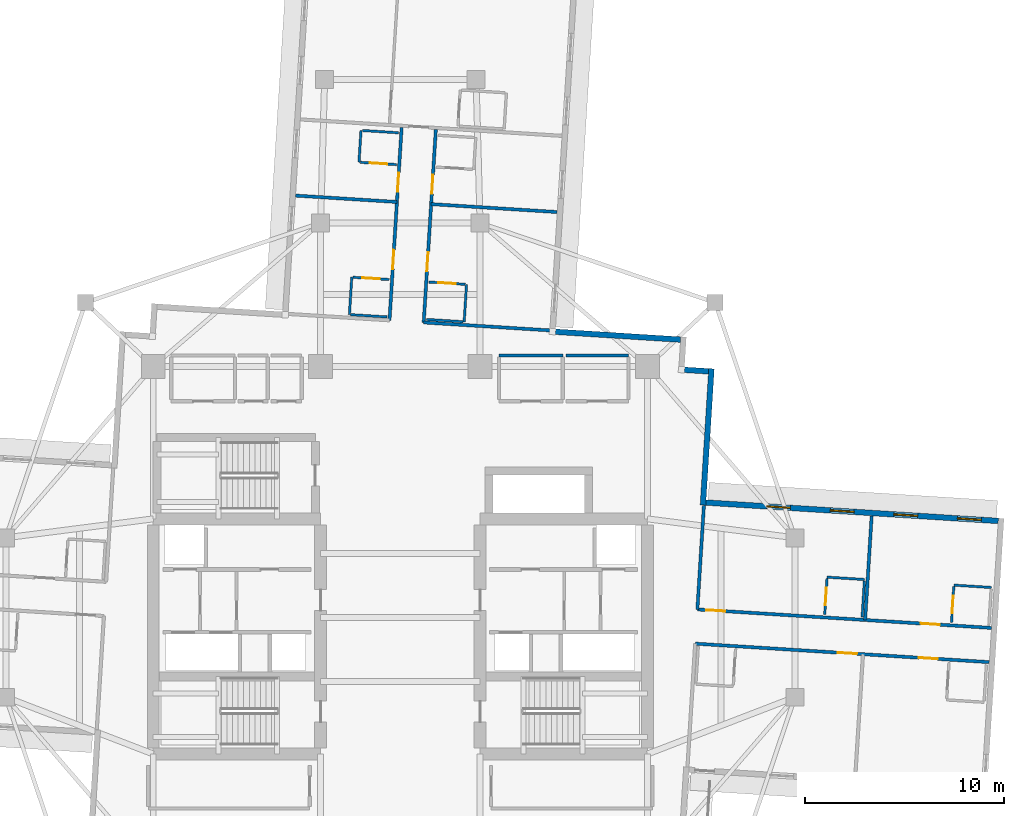
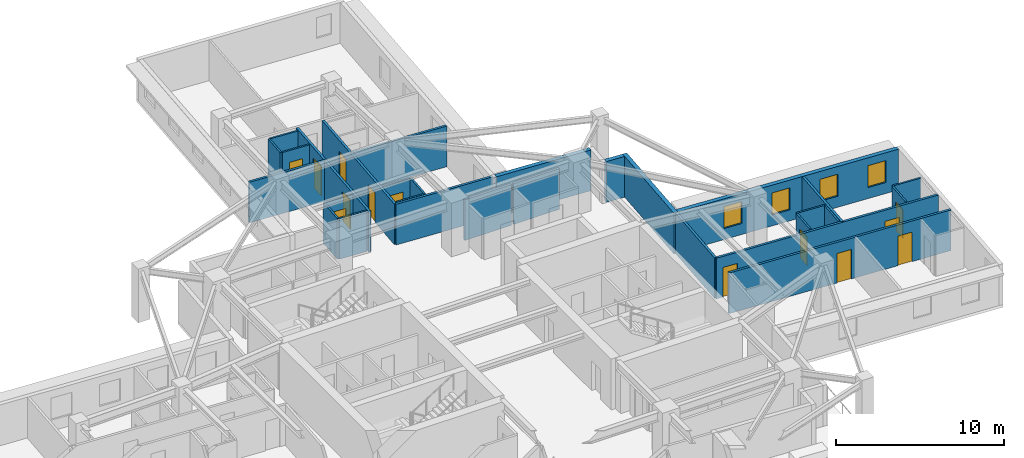
# One storey, part 8 of 14: 29 walls, 13 doors, 4 windows, 17 openings.
"""IFC4 building model written with IfcOpenShell, lengths in metres."""

from ifc_helpers import new_model, si_unit, direction, frame, frame_2d, origin, place, context, subcontext, project, spatial, rectangle, extrude, material, layer, layer_set, type_object, element, fill, save


model = new_model("IFC4")

# Units and contexts
model_context = context("Model", 3, precision=1e-05, world=origin(), true_north=direction((0.0, 1.0)))
body_context = subcontext(model_context, "Body", "Model", "MODEL_VIEW")
ifc_project = project(units=[si_unit("LENGTHUNIT", "METRE"), si_unit("AREAUNIT", "SQUARE_METRE"), si_unit("VOLUMEUNIT", "CUBIC_METRE"), si_unit("PLANEANGLEUNIT", "RADIAN"), si_unit("MASSUNIT", "GRAM", prefix="KILO")], contexts=[model_context])

# Site, building, storey
site_placement = place(None, origin())
site = spatial("IfcSite", under=ifc_project, at=site_placement, CompositionType="ELEMENT")
building_placement = place(site_placement, origin())
building = spatial("IfcBuilding", under=site, at=building_placement, Name="Qingluan Cross Belvedere", CompositionType="ELEMENT")
storey_placement = place(building_placement, frame((0.0, 0.0, 168.300048828125)))
storey = spatial("IfcBuildingStorey", under=building, at=storey_placement, Name="L42", CompositionType="ELEMENT", Elevation=168.300048828125)

# Walls
ifc_material_1 = material(Name="Gypsum plasterboard on steel stud acoustic partition", Category="steel")
ifc_layer_1 = layer(ifc_material_1, 0.159912109375, Name="CorridorPartition_160")
ifc_layer_set_1 = layer_set([ifc_layer_1], Name="Gypsum plasterboard on steel stud acoustic partition")
wall_type_1 = type_object("IfcWallType", Name="CorridorPartition_160", PredefinedType="PARTITIONING", material=ifc_layer_set_1)
wall_1_placement = place(storey_placement, frame((4.949951171875, 13.14990234375, 0.0), z_axis=(0.0, 0.0, 1.0), x_axis=(1.0, 0.0, 0.0)))
element("IfcWall", 1, at=wall_1_placement, inside=storey, type_object=wall_type_1, Name="Partition L42:q_ne1:N", PredefinedType="PARTITIONING", context=body_context, shape_type="SweptSolid", body=[
    extrude(rectangle(XDim=3.199951171875, YDim=0.159912109375, at=frame_2d((1.60009765625, 0.0))), origin(), (0.0, 0.0, 1.0), 2.9599609375),
])
wall_2_placement = place(storey_placement, frame((8.31005859375, 13.14990234375, 0.0), z_axis=(0.0, 0.0, 1.0), x_axis=(1.0, 0.0, 0.0)))
element("IfcWall", 2, at=wall_2_placement, inside=storey, type_object=wall_type_1, Name="Partition L42:q_ne2:N", PredefinedType="PARTITIONING", context=body_context, shape_type="SweptSolid", body=[
    extrude(rectangle(XDim=3.139892578125, YDim=0.159912109375, at=frame_2d((1.56982421875, 0.0))), origin(), (0.0, 0.0, 1.0), 2.9599609375),
])

# Wall, openings, doors
wall_3_placement = place(storey_placement, frame((14.90478515625, 0.40478515625, 0.0), z_axis=(0.0, 0.0, 1.0), x_axis=(0.998027564116, -0.062777235242, 0.0)))
wall_3 = element("IfcWall", 3, at=wall_3_placement, inside=storey, type_object=wall_type_1, Name="Partition L42:E:c0", PredefinedType="PARTITIONING", context=body_context, shape_type="SweptSolid", body=[
    extrude(rectangle(XDim=14.781982421875, YDim=0.159912109375, at=frame_2d((7.39111328125, 0.0))), origin(), (0.0, 0.0, 1.0), 2.9599609375),
])
opening_1_placement = place(wall_3_placement, frame((0.449951171875, 0.0, 0.0)))
opening_1 = element("IfcOpeningElement", 4, at=opening_1_placement, cuts=wall_3, Name="Opening GD-10", PredefinedType="OPENING", context=body_context, shape_type="SweptSolid", body=[
    extrude(rectangle(XDim=0.9599609375, YDim=2.14990234375, at=frame_2d((0.47998046875, 1.074951171875))), frame((0.0, 0.08984375, 0.0), z_axis=(0.0, -1.0, 0.0), x_axis=(1.0, 0.0, 0.0)), (0.0, 0.0, 1.0), 0.179931640625),
])
opening_2_placement = place(wall_3_placement, frame((11.23291015625, 0.0, 0.0)))
opening_2 = element("IfcOpeningElement", 5, at=opening_2_placement, cuts=wall_3, Name="Opening GD-10", PredefinedType="OPENING", context=body_context, shape_type="SweptSolid", body=[
    extrude(rectangle(XDim=0.9599609375, YDim=2.14990234375, at=frame_2d((0.47998046875, 1.074951171875))), frame((0.0, 0.08984375, 0.0), z_axis=(0.0, -1.0, 0.0), x_axis=(1.0, 0.0, 0.0)), (0.0, 0.0, 1.0), 0.179931640625),
])
ifc_material_2 = material(Name="Timber oak fire-rated acoustic guestroom door", Category="wood")
door_type_1 = type_object("IfcDoorType", Name="GuestEntryDoor_FD60", OperationType="NOTDEFINED", PredefinedType="DOOR", material=ifc_material_2)
door_1_placement = place(opening_1_placement, origin())
door_1 = element("IfcDoor", 6, at=door_1_placement, inside=storey, type_object=door_type_1, Name="Guest entry fire door 4201", OperationType="SINGLE_SWING_RIGHT", OverallHeight=2.14990234375, OverallWidth=0.9599609375, PredefinedType="DOOR", context=body_context, shape_type="SweptSolid", body=[
    extrude(rectangle(XDim=0.9599609375, YDim=2.14990234375, at=frame_2d((0.47998046875, 1.074951171875))), frame((0.0, 0.02490234375, 0.0), z_axis=(0.0, -1.0, 0.0), x_axis=(1.0, 0.0, 0.0)), (0.0, 0.0, 1.0), 0.050048828125),
])
fill(opening_1, door_1)
door_2_placement = place(opening_2_placement, origin())
door_2 = element("IfcDoor", 7, at=door_2_placement, inside=storey, type_object=door_type_1, Name="Guest entry fire door 4202", OperationType="SINGLE_SWING_RIGHT", OverallHeight=2.14990234375, OverallWidth=0.9599609375, PredefinedType="DOOR", context=body_context, shape_type="SweptSolid", body=[
    extrude(rectangle(XDim=0.9599609375, YDim=2.14990234375, at=frame_2d((0.47998046875, 1.074951171875))), frame((0.0, 0.02490234375, 0.0), z_axis=(0.0, -1.0, 0.0), x_axis=(1.0, 0.0, 0.0)), (0.0, 0.0, 1.0), 0.050048828125),
])
fill(opening_2, door_2)

# Walls
wall_4_placement = place(storey_placement, frame((14.90478515625, 0.40478515625, 0.0), z_axis=(0.0, 0.0, 1.0), x_axis=(0.062805307589, 0.998025797932, 0.0)))
element("IfcWall", 8, at=wall_4_placement, inside=storey, type_object=wall_type_1, Name="Partition L42:E:s0", PredefinedType="PARTITIONING", context=body_context, shape_type="SweptSolid", body=[
    extrude(rectangle(XDim=5.232177734375, YDim=0.159912109375, at=frame_2d((2.6162109375, 0.0))), origin(), (0.0, 0.0, 1.0), 2.9599609375),
])
wall_5_placement = place(storey_placement, frame((23.3232421875, -0.124755859375, 0.0), z_axis=(0.0, 0.0, 1.0), x_axis=(0.062761753477, 0.998028537819, 0.0)))
element("IfcWall", 9, at=wall_5_placement, inside=storey, type_object=wall_type_1, Name="Partition L42:E:d0_0", PredefinedType="PARTITIONING", context=body_context, shape_type="SweptSolid", body=[
    extrude(rectangle(XDim=5.23193359375, YDim=0.159912109375, at=frame_2d((2.615966796875, 0.0))), origin(), (0.0, 0.0, 1.0), 2.9599609375),
])

# Wall, openings, doors
wall_6_placement = place(storey_placement, frame((14.796875, -1.311767578125, 0.0), z_axis=(0.0, 0.0, 1.0), x_axis=(0.998026529199, -0.062793686106, 0.0)))
wall_6 = element("IfcWall", 10, at=wall_6_placement, inside=storey, type_object=wall_type_1, Name="Partition L42:E:c1", PredefinedType="PARTITIONING", context=body_context, shape_type="SweptSolid", body=[
    extrude(rectangle(XDim=14.781982421875, YDim=0.159912109375, at=frame_2d((7.39111328125, 0.0))), origin(), (0.0, 0.0, 1.0), 2.9599609375),
])
opening_3_placement = place(wall_6_placement, frame((7.175048828125, 0.0, 0.0)))
opening_3 = element("IfcOpeningElement", 11, at=opening_3_placement, cuts=wall_6, Name="Opening GD-10", PredefinedType="OPENING", context=body_context, shape_type="SweptSolid", body=[
    extrude(rectangle(XDim=0.9599609375, YDim=2.14990234375, at=frame_2d((0.47998046875, 1.074951171875))), frame((0.0, 0.08984375, 0.0), z_axis=(0.0, -1.0, 0.0), x_axis=(1.0, 0.0, 0.0)), (0.0, 0.0, 1.0), 0.179931640625),
])
opening_4_placement = place(wall_6_placement, frame((11.23291015625, 0.0, 0.0)))
opening_4 = element("IfcOpeningElement", 12, at=opening_4_placement, cuts=wall_6, Name="Opening GD-10", PredefinedType="OPENING", context=body_context, shape_type="SweptSolid", body=[
    extrude(rectangle(XDim=0.9599609375, YDim=2.14990234375, at=frame_2d((0.47998046875, 1.074951171875))), frame((0.0, 0.08984375, 0.0), z_axis=(0.0, -1.0, 0.0), x_axis=(1.0, 0.0, 0.0)), (0.0, 0.0, 1.0), 0.179931640625),
])
door_3_placement = place(opening_3_placement, origin())
door_3 = element("IfcDoor", 13, at=door_3_placement, inside=storey, type_object=door_type_1, Name="Guest entry fire door 4203", OperationType="SINGLE_SWING_RIGHT", OverallHeight=2.14990234375, OverallWidth=0.9599609375, PredefinedType="DOOR", context=body_context, shape_type="SweptSolid", body=[
    extrude(rectangle(XDim=0.9599609375, YDim=2.14990234375, at=frame_2d((0.47998046875, 1.074951171875))), frame((0.0, 0.02490234375, 0.0), z_axis=(0.0, -1.0, 0.0), x_axis=(1.0, 0.0, 0.0)), (0.0, 0.0, 1.0), 0.050048828125),
])
fill(opening_3, door_3)
door_4_placement = place(opening_4_placement, origin())
door_4 = element("IfcDoor", 14, at=door_4_placement, inside=storey, type_object=door_type_1, Name="Guest entry fire door 4204", OperationType="SINGLE_SWING_RIGHT", OverallHeight=2.14990234375, OverallWidth=0.9599609375, PredefinedType="DOOR", context=body_context, shape_type="SweptSolid", body=[
    extrude(rectangle(XDim=0.9599609375, YDim=2.14990234375, at=frame_2d((0.47998046875, 1.074951171875))), frame((0.0, 0.02490234375, 0.0), z_axis=(0.0, -1.0, 0.0), x_axis=(1.0, 0.0, 0.0)), (0.0, 0.0, 1.0), 0.050048828125),
])
fill(opening_4, door_4)

wall_7_placement = place(storey_placement, frame((1.172119140625, 14.8056640625, 0.0), z_axis=(0.0, 0.0, 1.0), x_axis=(0.062771584278, 0.998027919553, 0.0)))
wall_7 = element("IfcWall", 15, at=wall_7_placement, inside=storey, type_object=wall_type_1, Name="Partition L42:N:c0", PredefinedType="PARTITIONING", context=body_context, shape_type="SweptSolid", body=[
    extrude(rectangle(XDim=9.699951171875, YDim=0.159912109375, at=frame_2d((4.85009765625, 0.0))), origin(), (0.0, 0.0, 1.0), 2.9599609375),
])
opening_5_placement = place(wall_7_placement, frame((2.574951171875, 0.0, 0.0)))
opening_5 = element("IfcOpeningElement", 16, at=opening_5_placement, cuts=wall_7, Name="Opening GD-10", PredefinedType="OPENING", context=body_context, shape_type="SweptSolid", body=[
    extrude(rectangle(XDim=0.9599609375, YDim=2.14990234375, at=frame_2d((0.47998046875, 1.074951171875))), frame((0.0, 0.08984375, 0.0), z_axis=(0.0, -1.0, 0.0), x_axis=(1.0, 0.0, 0.0)), (0.0, 0.0, 1.0), 0.179931640625),
])
opening_6_placement = place(wall_7_placement, frame((6.467041015625, 0.0, 0.0)))
opening_6 = element("IfcOpeningElement", 17, at=opening_6_placement, cuts=wall_7, Name="Opening GD-10", PredefinedType="OPENING", context=body_context, shape_type="SweptSolid", body=[
    extrude(rectangle(XDim=0.9599609375, YDim=2.14990234375, at=frame_2d((0.47998046875, 1.074951171875))), frame((0.0, 0.08984375, 0.0), z_axis=(0.0, -1.0, 0.0), x_axis=(1.0, 0.0, 0.0)), (0.0, 0.0, 1.0), 0.179931640625),
])
door_5_placement = place(opening_5_placement, origin())
door_5 = element("IfcDoor", 18, at=door_5_placement, inside=storey, type_object=door_type_1, Name="Guest entry fire door 4211", OperationType="SINGLE_SWING_RIGHT", OverallHeight=2.14990234375, OverallWidth=0.9599609375, PredefinedType="DOOR", context=body_context, shape_type="SweptSolid", body=[
    extrude(rectangle(XDim=0.9599609375, YDim=2.14990234375, at=frame_2d((0.47998046875, 1.074951171875))), frame((0.0, 0.02490234375, 0.0), z_axis=(0.0, -1.0, 0.0), x_axis=(1.0, 0.0, 0.0)), (0.0, 0.0, 1.0), 0.050048828125),
])
fill(opening_5, door_5)
door_6_placement = place(opening_6_placement, origin())
door_6 = element("IfcDoor", 19, at=door_6_placement, inside=storey, type_object=door_type_1, Name="Guest entry fire door 4212", OperationType="SINGLE_SWING_RIGHT", OverallHeight=2.14990234375, OverallWidth=0.9599609375, PredefinedType="DOOR", context=body_context, shape_type="SweptSolid", body=[
    extrude(rectangle(XDim=0.9599609375, YDim=2.14990234375, at=frame_2d((0.47998046875, 1.074951171875))), frame((0.0, 0.02490234375, 0.0), z_axis=(0.0, -1.0, 0.0), x_axis=(1.0, 0.0, 0.0)), (0.0, 0.0, 1.0), 0.050048828125),
])
fill(opening_6, door_6)

# Walls
wall_8_placement = place(storey_placement, frame((1.172119140625, 14.8056640625, 0.0), z_axis=(0.0, 0.0, 1.0), x_axis=(0.998025657815, -0.06280753413, 0.0)))
element("IfcWall", 20, at=wall_8_placement, inside=storey, type_object=wall_type_1, Name="Partition L42:N:s0", PredefinedType="PARTITIONING", context=body_context, shape_type="SweptSolid", body=[
    extrude(rectangle(XDim=6.479736328125, YDim=0.159912109375, at=frame_2d((3.23974609375, 0.0))), origin(), (0.0, 0.0, 1.0), 2.9599609375),
])
wall_9_placement = place(storey_placement, frame((1.545654296875, 20.743896484375, 0.0), z_axis=(0.0, 0.0, 1.0), x_axis=(0.998025479614, -0.06281036572, 0.0)))
element("IfcWall", 21, at=wall_9_placement, inside=storey, type_object=wall_type_1, Name="Partition L42:N:d0_0", PredefinedType="PARTITIONING", context=body_context, shape_type="SweptSolid", body=[
    extrude(rectangle(XDim=6.331787109375, YDim=0.159912109375, at=frame_2d((3.166015625, 0.0))), origin(), (0.0, 0.0, 1.0), 2.9599609375),
])

# Wall, openings, doors
wall_10_placement = place(storey_placement, frame((-0.544677734375, 14.91357421875, 0.0), z_axis=(0.0, 0.0, 1.0), x_axis=(0.062796654085, 0.998026342456, 0.0)))
wall_10 = element("IfcWall", 22, at=wall_10_placement, inside=storey, type_object=wall_type_1, Name="Partition L42:N:c1", PredefinedType="PARTITIONING", context=body_context, shape_type="SweptSolid", body=[
    extrude(rectangle(XDim=9.699951171875, YDim=0.159912109375, at=frame_2d((4.85009765625, 0.0))), origin(), (0.0, 0.0, 1.0), 2.9599609375),
])
opening_7_placement = place(wall_10_placement, frame((2.574951171875, 0.0, 0.0)))
opening_7 = element("IfcOpeningElement", 23, at=opening_7_placement, cuts=wall_10, Name="Opening GD-10", PredefinedType="OPENING", context=body_context, shape_type="SweptSolid", body=[
    extrude(rectangle(XDim=0.9599609375, YDim=2.14990234375, at=frame_2d((0.47998046875, 1.074951171875))), frame((0.0, 0.08984375, 0.0), z_axis=(0.0, -1.0, 0.0), x_axis=(1.0, 0.0, 0.0)), (0.0, 0.0, 1.0), 0.179931640625),
])
opening_8_placement = place(wall_10_placement, frame((6.467041015625, 0.0, 0.0)))
opening_8 = element("IfcOpeningElement", 24, at=opening_8_placement, cuts=wall_10, Name="Opening GD-10", PredefinedType="OPENING", context=body_context, shape_type="SweptSolid", body=[
    extrude(rectangle(XDim=0.9599609375, YDim=2.14990234375, at=frame_2d((0.47998046875, 1.074951171875))), frame((0.0, 0.08984375, 0.0), z_axis=(0.0, -1.0, 0.0), x_axis=(1.0, 0.0, 0.0)), (0.0, 0.0, 1.0), 0.179931640625),
])
door_7_placement = place(opening_7_placement, origin())
door_7 = element("IfcDoor", 25, at=door_7_placement, inside=storey, type_object=door_type_1, Name="Guest entry fire door 4213", OperationType="SINGLE_SWING_RIGHT", OverallHeight=2.14990234375, OverallWidth=0.9599609375, PredefinedType="DOOR", context=body_context, shape_type="SweptSolid", body=[
    extrude(rectangle(XDim=0.9599609375, YDim=2.14990234375, at=frame_2d((0.47998046875, 1.074951171875))), frame((0.0, 0.02490234375, 0.0), z_axis=(0.0, -1.0, 0.0), x_axis=(1.0, 0.0, 0.0)), (0.0, 0.0, 1.0), 0.050048828125),
])
fill(opening_7, door_7)
door_8_placement = place(opening_8_placement, origin())
door_8 = element("IfcDoor", 26, at=door_8_placement, inside=storey, type_object=door_type_1, Name="Guest entry fire door 4214", OperationType="SINGLE_SWING_RIGHT", OverallHeight=2.14990234375, OverallWidth=0.9599609375, PredefinedType="DOOR", context=body_context, shape_type="SweptSolid", body=[
    extrude(rectangle(XDim=0.9599609375, YDim=2.14990234375, at=frame_2d((0.47998046875, 1.074951171875))), frame((0.0, 0.02490234375, 0.0), z_axis=(0.0, -1.0, 0.0), x_axis=(1.0, 0.0, 0.0)), (0.0, 0.0, 1.0), 0.050048828125),
])
fill(opening_8, door_8)

# Wall
wall_11_placement = place(storey_placement, frame((-0.1708984375, 20.851806640625, 0.0), z_axis=(0.0, 0.0, 1.0), x_axis=(-0.998025621735, 0.06280810744, 0.0)))
element("IfcWall", 27, at=wall_11_placement, inside=storey, type_object=wall_type_1, Name="Partition L42:N:d1_0", PredefinedType="PARTITIONING", context=body_context, shape_type="SweptSolid", body=[
    extrude(rectangle(XDim=5.092041015625, YDim=0.159912109375, at=frame_2d((2.5458984375, 0.0))), origin(), (0.0, 0.0, 1.0), 2.9599609375),
])

# Wall, opening, door
ifc_material_3 = material(Name="Moisture-resistant gypsum board lining")
ifc_layer_2 = layer(ifc_material_3, 0.1201171875, Name="EnsuiteWetPartition_120")
ifc_layer_set_2 = layer_set([ifc_layer_2], Name="Moisture-resistant gypsum board lining")
wall_type_2 = type_object("IfcWallType", Name="EnsuiteWetPartition_120", PredefinedType="PARTITIONING", material=ifc_layer_set_2)
wall_12_placement = place(storey_placement, frame((21.2958984375, 0.14306640625, 0.0), z_axis=(0.0, 0.0, 1.0), x_axis=(0.062912758763, 0.998019030272, 0.0)))
wall_12 = element("IfcWall", 28, at=wall_12_placement, inside=storey, type_object=wall_type_2, Name="Partition L42:E:bs0_0", PredefinedType="PARTITIONING", context=body_context, shape_type="SweptSolid", body=[
    extrude(rectangle(XDim=1.820068359375, YDim=0.1201171875, at=frame_2d((0.91015625, 0.0))), origin(), (0.0, 0.0, 1.0), 2.9599609375),
])
opening_9_placement = place(wall_12_placement, frame((0.469970703125, 0.0, 0.0)))
opening_9 = element("IfcOpeningElement", 29, at=opening_9_placement, cuts=wall_12, Name="Opening BD-09", PredefinedType="OPENING", context=body_context, shape_type="SweptSolid", body=[
    extrude(rectangle(XDim=0.8798828125, YDim=2.10009765625, at=frame_2d((0.43994140625, 1.050048828125))), frame((0.0, 0.070068359375, 0.0), z_axis=(0.0, -1.0, 0.0), x_axis=(1.0, 0.0, 0.0)), (0.0, 0.0, 1.0), 0.14013671875),
])
ifc_material_4 = material(Name="Moisture-sealed timber en-suite door", Category="wood")
door_type_2 = type_object("IfcDoorType", Name="BathroomDoor_880", OperationType="NOTDEFINED", PredefinedType="DOOR", material=ifc_material_4)
door_9_placement = place(opening_9_placement, origin())
door_9 = element("IfcDoor", 30, at=door_9_placement, inside=storey, type_object=door_type_2, Name="Bathroom door 4201", OperationType="SINGLE_SWING_LEFT", OverallHeight=2.10009765625, OverallWidth=0.8798828125, PredefinedType="DOOR", context=body_context, shape_type="SweptSolid", body=[
    extrude(rectangle(XDim=0.8798828125, YDim=2.10009765625, at=frame_2d((0.43994140625, 1.050048828125))), frame((0.0, 0.02490234375, 0.0), z_axis=(0.0, -1.0, 0.0), x_axis=(1.0, 0.0, 0.0)), (0.0, 0.0, 1.0), 0.050048828125),
])
fill(opening_9, door_9)

# Walls
wall_13_placement = place(storey_placement, frame((23.17236328125, 0.02490234375, 0.0), z_axis=(0.0, 0.0, 1.0), x_axis=(0.062770741989, 0.998027972529, 0.0)))
element("IfcWall", 31, at=wall_13_placement, inside=storey, type_object=wall_type_2, Name="Partition L42:E:bw0_0", PredefinedType="PARTITIONING", context=body_context, shape_type="SweptSolid", body=[
    extrude(rectangle(XDim=1.8203125, YDim=0.1201171875, at=frame_2d((0.91015625, 0.0))), origin(), (0.0, 0.0, 1.0), 2.9599609375),
])
wall_14_placement = place(storey_placement, frame((21.414306640625, 2.0244140625, 0.0), z_axis=(0.0, 0.0, 1.0), x_axis=(0.998023163794, -0.062847152131, 0.0)))
element("IfcWall", 32, at=wall_14_placement, inside=storey, type_object=wall_type_2, Name="Partition L42:E:bn0_0", PredefinedType="PARTITIONING", context=body_context, shape_type="SweptSolid", body=[
    extrude(rectangle(XDim=1.880126953125, YDim=0.1201171875, at=frame_2d((0.93994140625, 0.0))), origin(), (0.0, 0.0, 1.0), 2.9599609375),
])

# Wall, opening, door
wall_15_placement = place(storey_placement, frame((27.658447265625, -0.257080078125, 0.0), z_axis=(0.0, 0.0, 1.0), x_axis=(0.062787551592, 0.998026915151, 0.0)))
wall_15 = element("IfcWall", 33, at=wall_15_placement, inside=storey, type_object=wall_type_2, Name="Partition L42:E:bs0_1", PredefinedType="PARTITIONING", context=body_context, shape_type="SweptSolid", body=[
    extrude(rectangle(XDim=1.81982421875, YDim=0.1201171875, at=frame_2d((0.909912109375, 0.0))), origin(), (0.0, 0.0, 1.0), 2.9599609375),
])
opening_10_placement = place(wall_15_placement, frame((0.469970703125, 0.0, 0.0)))
opening_10 = element("IfcOpeningElement", 34, at=opening_10_placement, cuts=wall_15, Name="Opening BD-09", PredefinedType="OPENING", context=body_context, shape_type="SweptSolid", body=[
    extrude(rectangle(XDim=0.8798828125, YDim=2.10009765625, at=frame_2d((0.43994140625, 1.050048828125))), frame((0.0, 0.070068359375, 0.0), z_axis=(0.0, -1.0, 0.0), x_axis=(1.0, 0.0, 0.0)), (0.0, 0.0, 1.0), 0.14013671875),
])
door_10_placement = place(opening_10_placement, origin())
door_10 = element("IfcDoor", 35, at=door_10_placement, inside=storey, type_object=door_type_2, Name="Bathroom door 4202", OperationType="SINGLE_SWING_LEFT", OverallHeight=2.10009765625, OverallWidth=0.8798828125, PredefinedType="DOOR", context=body_context, shape_type="SweptSolid", body=[
    extrude(rectangle(XDim=0.8798828125, YDim=2.10009765625, at=frame_2d((0.43994140625, 1.050048828125))), frame((0.0, 0.02490234375, 0.0), z_axis=(0.0, -1.0, 0.0), x_axis=(1.0, 0.0, 0.0)), (0.0, 0.0, 1.0), 0.050048828125),
])
fill(opening_10, door_10)

# Wall
wall_16_placement = place(storey_placement, frame((27.77685546875, 1.6240234375, 0.0), z_axis=(0.0, 0.0, 1.0), x_axis=(0.998030789148, -0.062725942896, 0.0)))
element("IfcWall", 36, at=wall_16_placement, inside=storey, type_object=wall_type_2, Name="Partition L42:E:bn0_1", PredefinedType="PARTITIONING", context=body_context, shape_type="SweptSolid", body=[
    extrude(rectangle(XDim=1.8798828125, YDim=0.1201171875, at=frame_2d((0.93994140625, 0.0))), origin(), (0.0, 0.0, 1.0), 2.9599609375),
])

# Wall, opening, door
wall_17_placement = place(storey_placement, frame((1.439697265625, 16.832763671875, 0.0), z_axis=(0.0, 0.0, 1.0), x_axis=(0.998027443946, -0.062779145668, 0.0)))
wall_17 = element("IfcWall", 37, at=wall_17_placement, inside=storey, type_object=wall_type_2, Name="Partition L42:N:bs0_0", PredefinedType="PARTITIONING", context=body_context, shape_type="SweptSolid", body=[
    extrude(rectangle(XDim=1.820068359375, YDim=0.1201171875, at=frame_2d((0.91015625, 0.0))), origin(), (0.0, 0.0, 1.0), 2.9599609375),
])
opening_11_placement = place(wall_17_placement, frame((0.469970703125, 0.0, 0.0)))
opening_11 = element("IfcOpeningElement", 38, at=opening_11_placement, cuts=wall_17, Name="Opening BD-09", PredefinedType="OPENING", context=body_context, shape_type="SweptSolid", body=[
    extrude(rectangle(XDim=0.8798828125, YDim=2.10009765625, at=frame_2d((0.43994140625, 1.050048828125))), frame((0.0, 0.070068359375, 0.0), z_axis=(0.0, -1.0, 0.0), x_axis=(1.0, 0.0, 0.0)), (0.0, 0.0, 1.0), 0.14013671875),
])
door_11_placement = place(opening_11_placement, origin())
door_11 = element("IfcDoor", 39, at=door_11_placement, inside=storey, type_object=door_type_2, Name="Bathroom door 4211", OperationType="SINGLE_SWING_LEFT", OverallHeight=2.10009765625, OverallWidth=0.8798828125, PredefinedType="DOOR", context=body_context, shape_type="SweptSolid", body=[
    extrude(rectangle(XDim=0.8798828125, YDim=2.10009765625, at=frame_2d((0.43994140625, 1.050048828125))), frame((0.0, 0.02490234375, 0.0), z_axis=(0.0, -1.0, 0.0), x_axis=(1.0, 0.0, 0.0)), (0.0, 0.0, 1.0), 0.050048828125),
])
fill(opening_11, door_11)

# Walls
wall_18_placement = place(storey_placement, frame((1.32177734375, 14.95654296875, 0.0), z_axis=(0.0, 0.0, 1.0), x_axis=(0.998027443946, -0.062779145668, 0.0)))
element("IfcWall", 40, at=wall_18_placement, inside=storey, type_object=wall_type_2, Name="Partition L42:N:bw0_0", PredefinedType="PARTITIONING", context=body_context, shape_type="SweptSolid", body=[
    extrude(rectangle(XDim=1.820068359375, YDim=0.1201171875, at=frame_2d((0.91015625, 0.0))), origin(), (0.0, 0.0, 1.0), 2.9599609375),
])
wall_19_placement = place(storey_placement, frame((3.202880859375, 14.838134765625, 0.0), z_axis=(0.0, 0.0, 1.0), x_axis=(0.062847152131, 0.998023163794, 0.0)))
element("IfcWall", 41, at=wall_19_placement, inside=storey, type_object=wall_type_2, Name="Partition L42:N:bn0_0", PredefinedType="PARTITIONING", context=body_context, shape_type="SweptSolid", body=[
    extrude(rectangle(XDim=1.880126953125, YDim=0.1201171875, at=frame_2d((0.93994140625, 0.0))), origin(), (0.0, 0.0, 1.0), 2.9599609375),
])

# Wall, opening, door
wall_20_placement = place(storey_placement, frame((-2.372802734375, 17.07275390625, 0.0), z_axis=(0.0, 0.0, 1.0), x_axis=(0.998027443946, -0.062779145668, 0.0)))
wall_20 = element("IfcWall", 42, at=wall_20_placement, inside=storey, type_object=wall_type_2, Name="Partition L42:N:bs1_0", PredefinedType="PARTITIONING", context=body_context, shape_type="SweptSolid", body=[
    extrude(rectangle(XDim=1.820068359375, YDim=0.1201171875, at=frame_2d((0.91015625, 0.0))), origin(), (0.0, 0.0, 1.0), 2.9599609375),
])
opening_12_placement = place(wall_20_placement, frame((0.469970703125, 0.0, 0.0)))
opening_12 = element("IfcOpeningElement", 43, at=opening_12_placement, cuts=wall_20, Name="Opening BD-09", PredefinedType="OPENING", context=body_context, shape_type="SweptSolid", body=[
    extrude(rectangle(XDim=0.8798828125, YDim=2.10009765625, at=frame_2d((0.43994140625, 1.050048828125))), frame((0.0, 0.070068359375, 0.0), z_axis=(0.0, -1.0, 0.0), x_axis=(1.0, 0.0, 0.0)), (0.0, 0.0, 1.0), 0.14013671875),
])
door_12_placement = place(opening_12_placement, origin())
door_12 = element("IfcDoor", 44, at=door_12_placement, inside=storey, type_object=door_type_2, Name="Bathroom door 4213", OperationType="SINGLE_SWING_LEFT", OverallHeight=2.10009765625, OverallWidth=0.8798828125, PredefinedType="DOOR", context=body_context, shape_type="SweptSolid", body=[
    extrude(rectangle(XDim=0.8798828125, YDim=2.10009765625, at=frame_2d((0.43994140625, 1.050048828125))), frame((0.0, 0.02490234375, 0.0), z_axis=(0.0, -1.0, 0.0), x_axis=(1.0, 0.0, 0.0)), (0.0, 0.0, 1.0), 0.050048828125),
])
fill(opening_12, door_12)

# Walls
wall_21_placement = place(storey_placement, frame((-2.49072265625, 15.1962890625, 0.0), z_axis=(0.0, 0.0, 1.0), x_axis=(0.998027443946, -0.062779145668, 0.0)))
element("IfcWall", 45, at=wall_21_placement, inside=storey, type_object=wall_type_2, Name="Partition L42:N:bw1_0", PredefinedType="PARTITIONING", context=body_context, shape_type="SweptSolid", body=[
    extrude(rectangle(XDim=1.820068359375, YDim=0.1201171875, at=frame_2d((0.91015625, 0.0))), origin(), (0.0, 0.0, 1.0), 2.9599609375),
])
wall_22_placement = place(storey_placement, frame((-2.5556640625, 15.200439453125, 0.0), z_axis=(0.0, 0.0, 1.0), x_axis=(0.062847152131, 0.998023163794, 0.0)))
element("IfcWall", 46, at=wall_22_placement, inside=storey, type_object=wall_type_2, Name="Partition L42:N:bc1_0", PredefinedType="PARTITIONING", context=body_context, shape_type="SweptSolid", body=[
    extrude(rectangle(XDim=1.880126953125, YDim=0.1201171875, at=frame_2d((0.93994140625, 0.0))), origin(), (0.0, 0.0, 1.0), 2.9599609375),
])

# Wall, opening, door
wall_23_placement = place(storey_placement, frame((-2.009765625, 22.84130859375, 0.0), z_axis=(0.0, 0.0, 1.0), x_axis=(0.998027443946, -0.062779145668, 0.0)))
wall_23 = element("IfcWall", 47, at=wall_23_placement, inside=storey, type_object=wall_type_2, Name="Partition L42:N:bs1_1", PredefinedType="PARTITIONING", context=body_context, shape_type="SweptSolid", body=[
    extrude(rectangle(XDim=1.820068359375, YDim=0.1201171875, at=frame_2d((0.91015625, 0.0))), origin(), (0.0, 0.0, 1.0), 2.9599609375),
])
opening_13_placement = place(wall_23_placement, frame((0.469970703125, 0.0, 0.0)))
opening_13 = element("IfcOpeningElement", 48, at=opening_13_placement, cuts=wall_23, Name="Opening BD-09", PredefinedType="OPENING", context=body_context, shape_type="SweptSolid", body=[
    extrude(rectangle(XDim=0.8798828125, YDim=2.10009765625, at=frame_2d((0.43994140625, 1.050048828125))), frame((0.0, 0.070068359375, 0.0), z_axis=(0.0, -1.0, 0.0), x_axis=(1.0, 0.0, 0.0)), (0.0, 0.0, 1.0), 0.14013671875),
])
door_13_placement = place(opening_13_placement, origin())
door_13 = element("IfcDoor", 49, at=door_13_placement, inside=storey, type_object=door_type_2, Name="Bathroom door 4214", OperationType="SINGLE_SWING_LEFT", OverallHeight=2.10009765625, OverallWidth=0.8798828125, PredefinedType="DOOR", context=body_context, shape_type="SweptSolid", body=[
    extrude(rectangle(XDim=0.8798828125, YDim=2.10009765625, at=frame_2d((0.43994140625, 1.050048828125))), frame((0.0, 0.02490234375, 0.0), z_axis=(0.0, -1.0, 0.0), x_axis=(1.0, 0.0, 0.0)), (0.0, 0.0, 1.0), 0.050048828125),
])
fill(opening_13, door_13)

# Walls
wall_24_placement = place(storey_placement, frame((-1.9091796875, 24.43798828125, 0.0), z_axis=(0.0, 0.0, 1.0), x_axis=(0.998026915151, -0.062787551592, 0.0)))
element("IfcWall", 50, at=wall_24_placement, inside=storey, type_object=wall_type_2, Name="Partition L42:N:bw1_1", PredefinedType="PARTITIONING", context=body_context, shape_type="SweptSolid", body=[
    extrude(rectangle(XDim=1.81982421875, YDim=0.1201171875, at=frame_2d((0.909912109375, 0.0))), origin(), (0.0, 0.0, 1.0), 2.9599609375),
])
wall_25_placement = place(storey_placement, frame((-2.07470703125, 22.84521484375, 0.0), z_axis=(0.0, 0.0, 1.0), x_axis=(0.062862733403, 0.998022182494, 0.0)))
element("IfcWall", 51, at=wall_25_placement, inside=storey, type_object=wall_type_2, Name="Partition L42:N:bc1_1", PredefinedType="PARTITIONING", context=body_context, shape_type="SweptSolid", body=[
    extrude(rectangle(XDim=1.60009765625, YDim=0.1201171875, at=frame_2d((0.800048828125, 0.0))), origin(), (0.0, 0.0, 1.0), 2.9599609375),
])

# Wall, openings, windows
ifc_material_5 = material(Name="Precast concrete C45", Category="concrete")
ifc_layer_3 = layer(ifc_material_5, 0.280029296875, Name="PrecastFacadeWall_280")
ifc_layer_set_3 = layer_set([ifc_layer_3], Name="Precast concrete C45")
wall_type_3 = type_object("IfcWallType", Name="PrecastFacadeWall_280", PredefinedType="STANDARD", material=ifc_layer_set_3)
wall_26_placement = place(storey_placement, frame((30.00341796875, 4.845703125, 0.0), z_axis=(0.0, 0.0, 1.0), x_axis=(-0.998027423805, 0.062779465852, 0.0)))
wall_26 = element("IfcWall", 52, at=wall_26_placement, inside=storey, type_object=wall_type_3, Name="Facade wall L42-EB", PredefinedType="STANDARD", context=body_context, shape_type="SweptSolid", body=[
    extrude(rectangle(XDim=14.699951171875, YDim=0.280029296875, at=frame_2d((7.35009765625, 0.0))), origin(), (0.0, 0.0, 1.0), 2.969970703125),
])
opening_14_placement = place(wall_26_placement, frame((0.85009765625, 0.0, 0.800048828125)))
opening_14 = element("IfcOpeningElement", 53, at=opening_14_placement, cuts=wall_26, Name="Opening W-02", PredefinedType="OPENING", context=body_context, shape_type="SweptSolid", body=[
    extrude(rectangle(XDim=1.199951171875, YDim=1.60009765625, at=frame_2d((0.60009765625, 0.800048828125))), frame((0.0, 0.14990234375, 0.0), z_axis=(0.0, -1.0, 0.0), x_axis=(1.0, 0.0, 0.0)), (0.0, 0.0, 1.0), 0.300048828125),
])
opening_15_placement = place(wall_26_placement, frame((4.050048828125, 0.0, 0.800048828125)))
opening_15 = element("IfcOpeningElement", 54, at=opening_15_placement, cuts=wall_26, Name="Opening W-02", PredefinedType="OPENING", context=body_context, shape_type="SweptSolid", body=[
    extrude(rectangle(XDim=1.199951171875, YDim=1.60009765625, at=frame_2d((0.60009765625, 0.800048828125))), frame((0.0, 0.14990234375, 0.0), z_axis=(0.0, -1.0, 0.0), x_axis=(1.0, 0.0, 0.0)), (0.0, 0.0, 1.0), 0.300048828125),
])
opening_16_placement = place(wall_26_placement, frame((7.25, 0.0, 0.800048828125)))
opening_16 = element("IfcOpeningElement", 55, at=opening_16_placement, cuts=wall_26, Name="Opening W-02", PredefinedType="OPENING", context=body_context, shape_type="SweptSolid", body=[
    extrude(rectangle(XDim=1.199951171875, YDim=1.60009765625, at=frame_2d((0.60009765625, 0.800048828125))), frame((0.0, 0.14990234375, 0.0), z_axis=(0.0, -1.0, 0.0), x_axis=(1.0, 0.0, 0.0)), (0.0, 0.0, 1.0), 0.300048828125),
])
opening_17_placement = place(wall_26_placement, frame((10.449951171875, 0.0, 0.800048828125)))
opening_17 = element("IfcOpeningElement", 56, at=opening_17_placement, cuts=wall_26, Name="Opening W-02", PredefinedType="OPENING", context=body_context, shape_type="SweptSolid", body=[
    extrude(rectangle(XDim=1.199951171875, YDim=1.60009765625, at=frame_2d((0.60009765625, 0.800048828125))), frame((0.0, 0.14990234375, 0.0), z_axis=(0.0, -1.0, 0.0), x_axis=(1.0, 0.0, 0.0)), (0.0, 0.0, 1.0), 0.300048828125),
])
ifc_material_6 = material(Name="Thermally broken triple Low-E glass in aluminium frame", Category="aluminium")
window_type = type_object("IfcWindowType", Name="TriRibbonWin_1200x1600", PartitioningType="SINGLE_PANEL", PredefinedType="WINDOW", material=ifc_material_6)
window_1_placement = place(opening_14_placement, origin())
window_1 = element("IfcWindow", 57, at=window_1_placement, inside=storey, type_object=window_type, Name="Ribbon window L42-EB-1", OverallHeight=1.60009765625, OverallWidth=1.199951171875, PartitioningType="SINGLE_PANEL", PredefinedType="WINDOW", context=body_context, shape_type="SweptSolid", body=[
    extrude(rectangle(XDim=1.199951171875, YDim=1.60009765625, at=frame_2d((0.60009765625, 0.800048828125))), frame((0.0, 0.030029296875, 0.0), z_axis=(0.0, -1.0, 0.0), x_axis=(1.0, 0.0, 0.0)), (0.0, 0.0, 1.0), 0.06005859375),
])
fill(opening_14, window_1)
window_2_placement = place(opening_15_placement, origin())
window_2 = element("IfcWindow", 58, at=window_2_placement, inside=storey, type_object=window_type, Name="Ribbon window L42-EB-2", OverallHeight=1.60009765625, OverallWidth=1.199951171875, PartitioningType="SINGLE_PANEL", PredefinedType="WINDOW", context=body_context, shape_type="SweptSolid", body=[
    extrude(rectangle(XDim=1.199951171875, YDim=1.60009765625, at=frame_2d((0.60009765625, 0.800048828125))), frame((0.0, 0.030029296875, 0.0), z_axis=(0.0, -1.0, 0.0), x_axis=(1.0, 0.0, 0.0)), (0.0, 0.0, 1.0), 0.06005859375),
])
fill(opening_15, window_2)
window_3_placement = place(opening_16_placement, origin())
window_3 = element("IfcWindow", 59, at=window_3_placement, inside=storey, type_object=window_type, Name="Ribbon window L42-EB-3", OverallHeight=1.60009765625, OverallWidth=1.199951171875, PartitioningType="SINGLE_PANEL", PredefinedType="WINDOW", context=body_context, shape_type="SweptSolid", body=[
    extrude(rectangle(XDim=1.199951171875, YDim=1.60009765625, at=frame_2d((0.60009765625, 0.800048828125))), frame((0.0, 0.030029296875, 0.0), z_axis=(0.0, -1.0, 0.0), x_axis=(1.0, 0.0, 0.0)), (0.0, 0.0, 1.0), 0.06005859375),
])
fill(opening_16, window_3)
window_4_placement = place(opening_17_placement, origin())
window_4 = element("IfcWindow", 60, at=window_4_placement, inside=storey, type_object=window_type, Name="Ribbon window L42-EB-4", OverallHeight=1.60009765625, OverallWidth=1.199951171875, PartitioningType="SINGLE_PANEL", PredefinedType="WINDOW", context=body_context, shape_type="SweptSolid", body=[
    extrude(rectangle(XDim=1.199951171875, YDim=1.60009765625, at=frame_2d((0.60009765625, 0.800048828125))), frame((0.0, 0.030029296875, 0.0), z_axis=(0.0, -1.0, 0.0), x_axis=(1.0, 0.0, 0.0)), (0.0, 0.0, 1.0), 0.06005859375),
])
fill(opening_17, window_4)

# Walls
wall_27_placement = place(storey_placement, frame((15.18408203125, 5.6376953125, 0.0), z_axis=(0.0, 0.0, 1.0), x_axis=(0.062779317195, 0.998027433156, 0.0)))
element("IfcWall", 61, at=wall_27_placement, inside=storey, type_object=wall_type_3, Name="Corner wall L42-NE1", PredefinedType="STANDARD", context=body_context, shape_type="SweptSolid", body=[
    extrude(rectangle(XDim=6.85986328125, YDim=0.280029296875, at=frame_2d((3.429931640625, 0.0))), origin(), (0.0, 0.0, 1.0), 2.969970703125),
])
wall_28_placement = place(storey_placement, frame((15.46630859375, 12.353271484375, 0.0), z_axis=(0.0, 0.0, 1.0), x_axis=(-0.998024450254, 0.062826719603, 0.0)))
element("IfcWall", 62, at=wall_28_placement, inside=storey, type_object=wall_type_3, Name="Corner wall L42-NE2", PredefinedType="STANDARD", context=body_context, shape_type="SweptSolid", body=[
    extrude(rectangle(XDim=1.22021484375, YDim=0.280029296875, at=frame_2d((0.610107421875, 0.0))), origin(), (0.0, 0.0, 1.0), 2.969970703125),
])
wall_29_placement = place(storey_placement, frame((14.063232421875, 13.944580078125, 0.0), z_axis=(0.0, 0.0, 1.0), x_axis=(-0.998027314704, 0.062781200242, 0.0)))
element("IfcWall", 63, at=wall_29_placement, inside=storey, type_object=wall_type_3, Name="Corner wall L42-NE4", PredefinedType="STANDARD", context=body_context, shape_type="SweptSolid", body=[
    extrude(rectangle(XDim=6.2998046875, YDim=0.280029296875, at=frame_2d((3.14990234375, 0.0))), origin(), (0.0, 0.0, 1.0), 2.969970703125),
])

save(model, "model.ifc")
